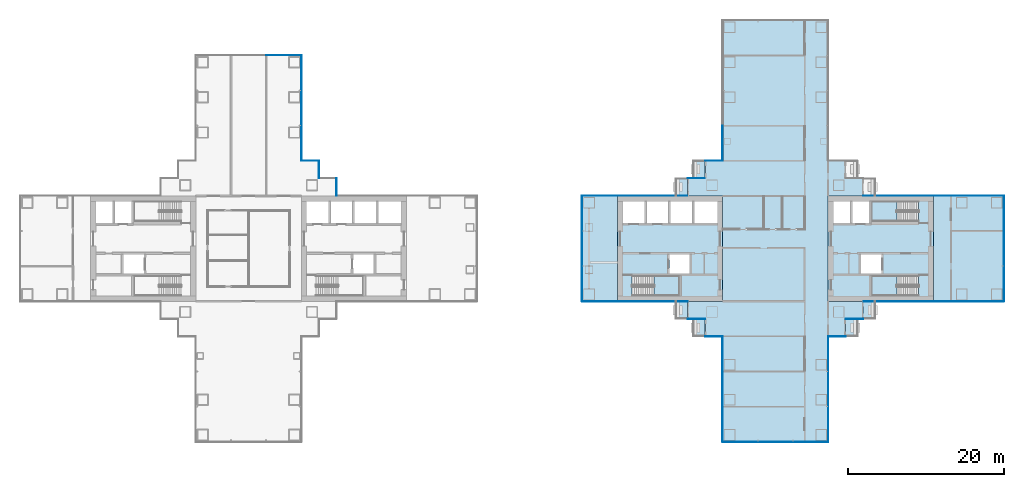
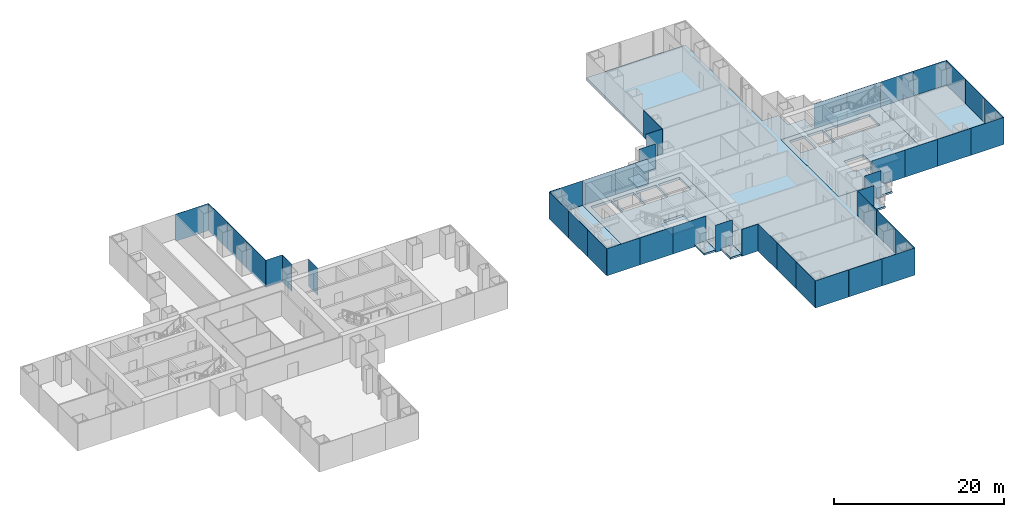
# One storey, part 11 of 21: 43 plates, 14 slabs, 23 elements without a shape of their own.
"""IFC4 building model written with IfcOpenShell, lengths in metres."""

from ifc_helpers import new_model, si_unit, direction, frame, origin, origin_2d, place, context, subcontext, project, spatial, polyline, rectangle, outline, extrude, material, layer, layer_set, type_object, element, aggregate, save


model = new_model("IFC4")

# Units and contexts
model_context = context("Model", 3, precision=1e-05, world=origin(), true_north=direction((0.0, 1.0)))
body_context = subcontext(model_context, "Body", "Model", "MODEL_VIEW")
ifc_project = project(units=[si_unit("LENGTHUNIT", "METRE"), si_unit("AREAUNIT", "SQUARE_METRE"), si_unit("VOLUMEUNIT", "CUBIC_METRE"), si_unit("PLANEANGLEUNIT", "RADIAN"), si_unit("MASSUNIT", "GRAM", prefix="KILO")], contexts=[model_context])

# Site, building, storey
site_placement = place(None, origin())
site = spatial("IfcSite", under=ifc_project, at=site_placement, CompositionType="ELEMENT")
building_placement = place(site_placement, origin())
building = spatial("IfcBuilding", under=site, at=building_placement, Name="Shamsa Quay Exchange Towers", CompositionType="ELEMENT")
storey_placement = place(building_placement, frame((0.0, 0.0, 49.800048828125)))
storey = spatial("IfcBuildingStorey", under=building, at=storey_placement, Name="L10", CompositionType="ELEMENT", Elevation=49.800048828125)

# Slabs
ifc_material_1 = material(Name="Precast concrete C40/50", Category="concrete")
ifc_layer_1 = layer(ifc_material_1, 0.25)
ifc_layer_set_1 = layer_set([ifc_layer_1], Name="BALCONY SLAB 250")
slab_type_1 = type_object("IfcSlabType", Name="BALCONY SLAB 250", PredefinedType="FLOOR", material=ifc_layer_set_1)
slab_1_placement = place(storey_placement, frame((0.0, 0.0, -0.25)))
element("IfcSlab", 1, at=slab_1_placement, inside=storey, type_object=slab_type_1, Name="Balcony T2-PKEN L10", PredefinedType="FLOOR", context=body_context, shape_type="SweptSolid", body=[
    extrude(outline(polyline([(24.75, 11.25), (24.75, 9.0380859375), (23.199951171875, 9.0380859375), (23.199951171875, 11.25), (24.75, 11.25)])), origin(), (0.0, 0.0, 1.0), 0.25),
])
slab_2_placement = place(storey_placement, frame((0.0, 0.0, -0.25)))
element("IfcSlab", 2, at=slab_2_placement, inside=storey, type_object=slab_type_1, Name="Balcony T2-PKEN L10", PredefinedType="FLOOR", context=body_context, shape_type="SweptSolid", body=[
    extrude(outline(polyline([(22.5, 9.0), (22.5, 6.7880859375), (20.949951171875, 6.7880859375), (20.949951171875, 9.0), (22.5, 9.0)])), origin(), (0.0, 0.0, 1.0), 0.25),
])
slab_3_placement = place(storey_placement, frame((0.0, 0.0, -0.25)))
element("IfcSlab", 3, at=slab_3_placement, inside=storey, type_object=slab_type_1, Name="Balcony T2-PKWN L10", PredefinedType="FLOOR", context=body_context, shape_type="SweptSolid", body=[
    extrude(outline(polyline([(22.5, -6.7880859375), (22.5, -9.0), (20.949951171875, -9.0), (20.949951171875, -6.7880859375), (22.5, -6.7880859375)])), origin(), (0.0, 0.0, 1.0), 0.25),
])
slab_4_placement = place(storey_placement, frame((0.0, 0.0, -0.25)))
element("IfcSlab", 4, at=slab_4_placement, inside=storey, type_object=slab_type_1, Name="Balcony T2-PKWN L10", PredefinedType="FLOOR", context=body_context, shape_type="SweptSolid", body=[
    extrude(outline(polyline([(24.75, -9.0380859375), (24.75, -11.25), (23.199951171875, -11.25), (23.199951171875, -9.0380859375), (24.75, -9.0380859375)])), origin(), (0.0, 0.0, 1.0), 0.25),
])
slab_5_placement = place(storey_placement, frame((0.0, 0.0, -0.25)))
element("IfcSlab", 5, at=slab_5_placement, inside=storey, type_object=slab_type_1, Name="Balcony T2-PKWS L10", PredefinedType="FLOOR", context=body_context, shape_type="SweptSolid", body=[
    extrude(outline(polyline([(42.75, -11.25), (42.75, -9.0380859375), (44.300048828125, -9.0380859375), (44.300048828125, -11.25), (42.75, -11.25)])), origin(), (0.0, 0.0, 1.0), 0.25),
])
slab_6_placement = place(storey_placement, frame((0.0, 0.0, -0.25)))
element("IfcSlab", 6, at=slab_6_placement, inside=storey, type_object=slab_type_1, Name="Balcony T2-PKWS L10", PredefinedType="FLOOR", context=body_context, shape_type="SweptSolid", body=[
    extrude(outline(polyline([(45.0, -9.0), (45.0, -6.7880859375), (46.550048828125, -6.7880859375), (46.550048828125, -9.0), (45.0, -9.0)])), origin(), (0.0, 0.0, 1.0), 0.25),
])
ifc_material_2 = material(Name="Concrete C50/60", Category="concrete")
ifc_layer_2 = layer(ifc_material_2, 0.35009765625)
ifc_layer_set_2 = layer_set([ifc_layer_2], Name="CORE FLOOR 350 C50/60")
slab_type_2 = type_object("IfcSlabType", Name="CORE FLOOR 350 C50/60", PredefinedType="FLOOR", material=ifc_layer_set_2)
slab_7_placement = place(storey_placement, frame((0.0, 0.0, -0.35009765625)))
element("IfcSlab", 7, at=slab_7_placement, inside=storey, type_object=slab_type_2, Name="Core floor T2A", PredefinedType="FLOOR", context=body_context, shape_type="SweptSolid", body=[
    extrude(outline(polyline([(13.5, -6.75), (27.0, -6.75), (27.0, 6.75), (13.5, 6.75), (13.5, -6.75)]), holes=[polyline([(15.400634765625, -6.050048828125), (15.400634765625, -3.5), (21.5, -3.5), (21.5, -6.050048828125), (15.400634765625, -6.050048828125)]), polyline([(14.199951171875, 3.25), (14.199951171875, 6.050048828125), (17.0, 6.050048828125), (17.0, 3.25), (14.199951171875, 3.25)]), polyline([(17.25, 3.25), (17.25, 6.050048828125), (20.050048828125, 6.050048828125), (20.050048828125, 3.25), (17.25, 3.25)]), polyline([(20.300048828125, 3.25), (20.300048828125, 6.050048828125), (23.10009765625, 6.050048828125), (23.10009765625, 3.25), (20.300048828125, 3.25)]), polyline([(23.35009765625, 3.25), (23.35009765625, 6.050048828125), (26.300048828125, 6.050048828125), (26.300048828125, 3.25), (23.35009765625, 3.25)]), polyline([(20.14990234375, -3.25), (20.14990234375, -0.75), (22.800048828125, -0.75), (22.800048828125, -3.25), (20.14990234375, -3.25)])]), origin(), (0.0, 0.0, 1.0), 0.35009765625),
])
slab_8_placement = place(storey_placement, frame((0.0, 0.0, -0.35009765625)))
element("IfcSlab", 8, at=slab_8_placement, inside=storey, type_object=slab_type_2, Name="Core floor T2B", PredefinedType="FLOOR", context=body_context, shape_type="SweptSolid", body=[
    extrude(outline(polyline([(54.0, -6.75), (54.0, 6.75), (40.5, 6.75), (40.5, -6.75), (54.0, -6.75)]), holes=[polyline([(52.099365234375, -3.5), (52.099365234375, -6.050048828125), (46.0, -6.050048828125), (46.0, -3.5), (52.099365234375, -3.5)]), polyline([(52.099365234375, 6.050048828125), (52.099365234375, 3.5), (46.0, 3.5), (46.0, 6.050048828125), (52.099365234375, 6.050048828125)]), polyline([(45.75, 3.25), (43.60009765625, 3.25), (43.60009765625, 6.050048828125), (45.75, 6.050048828125), (45.75, 3.25)]), polyline([(43.35009765625, 3.25), (41.199951171875, 3.25), (41.199951171875, 6.050048828125), (43.35009765625, 6.050048828125), (43.35009765625, 3.25)]), polyline([(47.35009765625, -3.25), (44.699951171875, -3.25), (44.699951171875, -0.75), (47.35009765625, -0.75), (47.35009765625, -3.25)])]), origin(), (0.0, 0.0, 1.0), 0.35009765625),
])

# Stair, slab
ifc_material_3 = material(Name="Concrete C40/50", Category="concrete")
stair_type = type_object("IfcStairType", Name="EXIT STAIR 22 RISERS 177 MM", PredefinedType="HALF_TURN_STAIR", material=ifc_material_3)
stair_1_placement = place(storey_placement, origin())
stair_1 = element("IfcStair", 9, at=stair_1_placement, inside=storey, type_object=stair_type, Name="L10 Exit stair ST4", PredefinedType="HALF_TURN_STAIR")
ifc_layer_3 = layer(ifc_material_3, 0.199951171875)
ifc_layer_set_3 = layer_set([ifc_layer_3], Name="CORE STAIR LANDING")
slab_type_3 = type_object("IfcSlabType", Name="CORE STAIR LANDING", PredefinedType="LANDING", material=ifc_layer_set_3)
slab_9_placement = place(storey_placement, frame((0.0, 0.0, 1.75)))
slab_9 = element("IfcSlab", 10, at=slab_9_placement, type_object=slab_type_3, Name="ST4 landing 1", PredefinedType="LANDING", context=body_context, shape_type="SweptSolid", body=[
    extrude(outline(polyline([(18.199951171875, -6.050048828125), (21.5, -6.050048828125), (21.5, -3.5), (18.199951171875, -3.5), (18.199951171875, -6.050048828125)])), origin(), (0.0, 0.0, 1.0), 0.199951171875),
])
aggregate(stair_1, [slab_9])

stair_2_placement = place(storey_placement, origin())
stair_2 = element("IfcStair", 11, at=stair_2_placement, inside=storey, type_object=stair_type, Name="L10 Exit stair ST5", PredefinedType="HALF_TURN_STAIR")
slab_10_placement = place(storey_placement, frame((0.0, 0.0, 1.75)))
slab_10 = element("IfcSlab", 12, at=slab_10_placement, type_object=slab_type_3, Name="ST5 landing 1", PredefinedType="LANDING", context=body_context, shape_type="SweptSolid", body=[
    extrude(outline(polyline([(49.300048828125, -3.5), (46.0, -3.5), (46.0, -6.050048828125), (49.300048828125, -6.050048828125), (49.300048828125, -3.5)])), origin(), (0.0, 0.0, 1.0), 0.199951171875),
])
aggregate(stair_2, [slab_10])

stair_3_placement = place(storey_placement, origin())
stair_3 = element("IfcStair", 13, at=stair_3_placement, inside=storey, type_object=stair_type, Name="L10 Exit stair ST6", PredefinedType="HALF_TURN_STAIR")
slab_11_placement = place(storey_placement, frame((0.0, 0.0, 1.75)))
slab_11 = element("IfcSlab", 14, at=slab_11_placement, type_object=slab_type_3, Name="ST6 landing 1", PredefinedType="LANDING", context=body_context, shape_type="SweptSolid", body=[
    extrude(outline(polyline([(49.300048828125, 6.050048828125), (46.0, 6.050048828125), (46.0, 3.5), (49.300048828125, 3.5), (49.300048828125, 6.050048828125)])), origin(), (0.0, 0.0, 1.0), 0.199951171875),
])
aggregate(stair_3, [slab_11])

# Curtain wall, plates
ifc_material_4 = material(Name="Aluminium EN AW-6063 T6, black anodised", Category="aluminium")
ifc_layer_4 = layer(ifc_material_4, 0.280029296875)
ifc_layer_set_4 = layer_set([ifc_layer_4], Name="CW-1 UNITISED VISION GLASS")
curtain_wall_type_1 = type_object("IfcCurtainWallType", Name="CW-1 UNITISED VISION GLASS", PredefinedType="NOTDEFINED", material=ifc_layer_set_4)
curtain_wall_1_placement = place(storey_placement, origin())
curtain_wall_1 = element("IfcCurtainWall", 15, at=curtain_wall_1_placement, inside=storey, type_object=curtain_wall_type_1, Name="CW1 T1-FLK-V+E L10", PredefinedType="NOTDEFINED")
ifc_material_5 = material(Name="Glass, laminated, dark tinted", Category="glass")
ifc_layer_5 = layer(ifc_material_5, 0.0400390625)
ifc_layer_set_5 = layer_set([ifc_layer_5], Name="CW-1 VISION GLASS 40")
plate_type_1 = type_object("IfcPlateType", Name="CW-1 VISION GLASS 40", PredefinedType="CURTAIN_PANEL", material=ifc_layer_set_5)
plate_1_placement = place(storey_placement, frame((-26.97998046875, 13.529052734375, -0.35009765625), z_axis=(0.0, 0.0, 1.0), x_axis=(0.0, 1.0, 0.0)))
plate_1 = element("IfcPlate", 16, at=plate_1_placement, type_object=plate_type_1, Name="CW1 glass panel", PredefinedType="CURTAIN_PANEL", context=body_context, shape_type="SweptSolid", body=[
    extrude(rectangle(XDim=4.482421875, YDim=0.0400390625, at=origin_2d()), origin(), (0.0, 0.0, 1.0), 3.89990234375),
])
plate_2_placement = place(storey_placement, frame((-26.97998046875, 18.01904296875, -0.35009765625), z_axis=(0.0, 0.0, 1.0), x_axis=(0.0, 1.0, 0.0)))
plate_2 = element("IfcPlate", 17, at=plate_2_placement, type_object=plate_type_1, Name="CW1 glass panel", PredefinedType="CURTAIN_PANEL", context=body_context, shape_type="SweptSolid", body=[
    extrude(rectangle(XDim=4.477294921875, YDim=0.0400390625, at=origin_2d()), origin(), (0.0, 0.0, 1.0), 3.89990234375),
])
plate_3_placement = place(storey_placement, frame((-26.97998046875, 22.5087890625, -0.35009765625), z_axis=(0.0, 0.0, 1.0), x_axis=(0.0, 1.0, 0.0)))
plate_3 = element("IfcPlate", 18, at=plate_3_placement, type_object=plate_type_1, Name="CW1 glass panel", PredefinedType="CURTAIN_PANEL", context=body_context, shape_type="SweptSolid", body=[
    extrude(rectangle(XDim=4.482421875, YDim=0.0400390625, at=origin_2d()), origin(), (0.0, 0.0, 1.0), 3.89990234375),
])
aggregate(curtain_wall_1, [plate_1, plate_2, plate_3])

# Curtain wall, plate
curtain_wall_2_placement = place(storey_placement, origin())
curtain_wall_2 = element("IfcCurtainWall", 19, at=curtain_wall_2_placement, inside=storey, type_object=curtain_wall_type_1, Name="CW1 T1-END-V+ L10", PredefinedType="NOTDEFINED")
plate_4_placement = place(storey_placement, frame((-29.24755859375, 24.77001953125, -0.35009765625), z_axis=(0.0, 0.0, 1.0), x_axis=(-1.0, 0.0, 0.0)))
plate_4 = element("IfcPlate", 20, at=plate_4_placement, type_object=plate_type_1, Name="CW1 glass panel", PredefinedType="CURTAIN_PANEL", context=body_context, shape_type="SweptSolid", body=[
    extrude(rectangle(XDim=4.4951171875, YDim=0.0400390625, at=origin_2d()), origin(), (0.0, 0.0, 1.0), 3.89990234375),
])
aggregate(curtain_wall_2, [plate_4])

# Curtain wall, plates
curtain_wall_3_placement = place(storey_placement, origin())
curtain_wall_3 = element("IfcCurtainWall", 21, at=curtain_wall_3_placement, inside=storey, type_object=curtain_wall_type_1, Name="CW1 T2-FLK-V-W L10", PredefinedType="NOTDEFINED")
plate_5_placement = place(storey_placement, frame((56.24755859375, -6.77001953125, -0.35009765625)))
plate_5 = element("IfcPlate", 22, at=plate_5_placement, type_object=plate_type_1, Name="CW1 glass panel", PredefinedType="CURTAIN_PANEL", context=body_context, shape_type="SweptSolid", body=[
    extrude(rectangle(XDim=4.4951171875, YDim=0.0400390625, at=origin_2d()), origin(), (0.0, 0.0, 1.0), 3.89990234375),
])
plate_6_placement = place(storey_placement, frame((60.75244140625, -6.77001953125, -0.35009765625)))
plate_6 = element("IfcPlate", 23, at=plate_6_placement, type_object=plate_type_1, Name="CW1 glass panel", PredefinedType="CURTAIN_PANEL", context=body_context, shape_type="SweptSolid", body=[
    extrude(rectangle(XDim=4.4951171875, YDim=0.0400390625, at=origin_2d()), origin(), (0.0, 0.0, 1.0), 3.89990234375),
])
aggregate(curtain_wall_3, [plate_5, plate_6])

curtain_wall_4_placement = place(storey_placement, origin())
curtain_wall_4 = element("IfcCurtainWall", 24, at=curtain_wall_4_placement, inside=storey, type_object=curtain_wall_type_1, Name="CW1 T2-END-V- L10", PredefinedType="NOTDEFINED")
plate_7_placement = place(storey_placement, frame((63.02001953125, -4.50244140625, -0.35009765625), z_axis=(0.0, 0.0, 1.0), x_axis=(0.0, 1.0, 0.0)))
plate_7 = element("IfcPlate", 25, at=plate_7_placement, type_object=plate_type_1, Name="CW1 glass panel", PredefinedType="CURTAIN_PANEL", context=body_context, shape_type="SweptSolid", body=[
    extrude(rectangle(XDim=4.4951171875, YDim=0.0400390625, at=origin_2d()), origin(), (0.0, 0.0, 1.0), 3.89990234375),
])
plate_8_placement = place(storey_placement, frame((63.02001953125, 0.0, -0.35009765625), z_axis=(0.0, 0.0, 1.0), x_axis=(0.0, 1.0, 0.0)))
plate_8 = element("IfcPlate", 26, at=plate_8_placement, type_object=plate_type_1, Name="CW1 glass panel", PredefinedType="CURTAIN_PANEL", context=body_context, shape_type="SweptSolid", body=[
    extrude(rectangle(XDim=4.489990234375, YDim=0.0400390625, at=origin_2d()), origin(), (0.0, 0.0, 1.0), 3.89990234375),
])
plate_9_placement = place(storey_placement, frame((63.02001953125, 4.50244140625, -0.35009765625), z_axis=(0.0, 0.0, 1.0), x_axis=(0.0, 1.0, 0.0)))
plate_9 = element("IfcPlate", 27, at=plate_9_placement, type_object=plate_type_1, Name="CW1 glass panel", PredefinedType="CURTAIN_PANEL", context=body_context, shape_type="SweptSolid", body=[
    extrude(rectangle(XDim=4.4951171875, YDim=0.0400390625, at=origin_2d()), origin(), (0.0, 0.0, 1.0), 3.89990234375),
])
aggregate(curtain_wall_4, [plate_7, plate_8, plate_9])

curtain_wall_5_placement = place(storey_placement, origin())
curtain_wall_5 = element("IfcCurtainWall", 28, at=curtain_wall_5_placement, inside=storey, type_object=curtain_wall_type_1, Name="CW1 T2-FLK-V-E L10", PredefinedType="NOTDEFINED")
plate_10_placement = place(storey_placement, frame((60.75244140625, 6.77001953125, -0.35009765625), z_axis=(0.0, 0.0, 1.0), x_axis=(-1.0, 0.0, 0.0)))
plate_10 = element("IfcPlate", 29, at=plate_10_placement, type_object=plate_type_1, Name="CW1 glass panel", PredefinedType="CURTAIN_PANEL", context=body_context, shape_type="SweptSolid", body=[
    extrude(rectangle(XDim=4.4951171875, YDim=0.0400390625, at=origin_2d()), origin(), (0.0, 0.0, 1.0), 3.89990234375),
])
plate_11_placement = place(storey_placement, frame((56.24755859375, 6.77001953125, -0.35009765625), z_axis=(0.0, 0.0, 1.0), x_axis=(-1.0, 0.0, 0.0)))
plate_11 = element("IfcPlate", 30, at=plate_11_placement, type_object=plate_type_1, Name="CW1 glass panel", PredefinedType="CURTAIN_PANEL", context=body_context, shape_type="SweptSolid", body=[
    extrude(rectangle(XDim=4.4951171875, YDim=0.0400390625, at=origin_2d()), origin(), (0.0, 0.0, 1.0), 3.89990234375),
])
aggregate(curtain_wall_5, [plate_10, plate_11])

# Curtain wall, plate
curtain_wall_6_placement = place(storey_placement, origin())
curtain_wall_6 = element("IfcCurtainWall", 31, at=curtain_wall_6_placement, inside=storey, type_object=curtain_wall_type_1, Name="CW1 T2-FLK-U+N L10", PredefinedType="NOTDEFINED")
plate_12_placement = place(storey_placement, frame((26.97998046875, 13.49755859375, -0.35009765625), z_axis=(0.0, 0.0, 1.0), x_axis=(0.0, -1.0, 0.0)))
plate_12 = element("IfcPlate", 32, at=plate_12_placement, type_object=plate_type_1, Name="CW1 glass panel", PredefinedType="CURTAIN_PANEL", context=body_context, shape_type="SweptSolid", body=[
    extrude(rectangle(XDim=4.4951171875, YDim=0.0400390625, at=origin_2d()), origin(), (0.0, 0.0, 1.0), 3.89990234375),
])
aggregate(curtain_wall_6, [plate_12])

curtain_wall_7_placement = place(storey_placement, origin())
curtain_wall_7 = element("IfcCurtainWall", 33, at=curtain_wall_7_placement, inside=storey, type_object=curtain_wall_type_1, Name="CW1 T2-FLK-V+E L10", PredefinedType="NOTDEFINED")
plate_13_placement = place(storey_placement, frame((11.25, 6.77001953125, -0.35009765625), z_axis=(0.0, 0.0, 1.0), x_axis=(-1.0, 0.0, 0.0)))
plate_13 = element("IfcPlate", 34, at=plate_13_placement, type_object=plate_type_1, Name="CW1 glass panel", PredefinedType="CURTAIN_PANEL", context=body_context, shape_type="SweptSolid", body=[
    extrude(rectangle(XDim=4.5, YDim=0.0400390625, at=origin_2d()), origin(), (0.0, 0.0, 1.0), 3.89990234375),
])
aggregate(curtain_wall_7, [plate_13])

# Curtain wall, plates
curtain_wall_8_placement = place(storey_placement, origin())
curtain_wall_8 = element("IfcCurtainWall", 35, at=curtain_wall_8_placement, inside=storey, type_object=curtain_wall_type_1, Name="CW1 T2-END-V+ L10", PredefinedType="NOTDEFINED")
plate_14_placement = place(storey_placement, frame((8.97998046875, 4.50244140625, -0.35009765625), z_axis=(0.0, 0.0, 1.0), x_axis=(0.0, -1.0, 0.0)))
plate_14 = element("IfcPlate", 36, at=plate_14_placement, type_object=plate_type_1, Name="CW1 glass panel", PredefinedType="CURTAIN_PANEL", context=body_context, shape_type="SweptSolid", body=[
    extrude(rectangle(XDim=4.4951171875, YDim=0.0400390625, at=origin_2d()), origin(), (0.0, 0.0, 1.0), 3.89990234375),
])
plate_15_placement = place(storey_placement, frame((8.97998046875, 0.0, -0.35009765625), z_axis=(0.0, 0.0, 1.0), x_axis=(0.0, -1.0, 0.0)))
plate_15 = element("IfcPlate", 37, at=plate_15_placement, type_object=plate_type_1, Name="CW1 glass panel", PredefinedType="CURTAIN_PANEL", context=body_context, shape_type="SweptSolid", body=[
    extrude(rectangle(XDim=4.489990234375, YDim=0.0400390625, at=origin_2d()), origin(), (0.0, 0.0, 1.0), 3.89990234375),
])
plate_16_placement = place(storey_placement, frame((8.97998046875, -4.50244140625, -0.35009765625), z_axis=(0.0, 0.0, 1.0), x_axis=(0.0, -1.0, 0.0)))
plate_16 = element("IfcPlate", 38, at=plate_16_placement, type_object=plate_type_1, Name="CW1 glass panel", PredefinedType="CURTAIN_PANEL", context=body_context, shape_type="SweptSolid", body=[
    extrude(rectangle(XDim=4.4951171875, YDim=0.0400390625, at=origin_2d()), origin(), (0.0, 0.0, 1.0), 3.89990234375),
])
aggregate(curtain_wall_8, [plate_14, plate_15, plate_16])

# Curtain wall, plate
curtain_wall_9_placement = place(storey_placement, origin())
curtain_wall_9 = element("IfcCurtainWall", 39, at=curtain_wall_9_placement, inside=storey, type_object=curtain_wall_type_1, Name="CW1 T2-FLK-V+W L10", PredefinedType="NOTDEFINED")
plate_17_placement = place(storey_placement, frame((11.25, -6.77001953125, -0.35009765625)))
plate_17 = element("IfcPlate", 40, at=plate_17_placement, type_object=plate_type_1, Name="CW1 glass panel", PredefinedType="CURTAIN_PANEL", context=body_context, shape_type="SweptSolid", body=[
    extrude(rectangle(XDim=4.5, YDim=0.0400390625, at=origin_2d()), origin(), (0.0, 0.0, 1.0), 3.89990234375),
])
aggregate(curtain_wall_9, [plate_17])

# Curtain wall, plates
curtain_wall_10_placement = place(storey_placement, origin())
curtain_wall_10 = element("IfcCurtainWall", 41, at=curtain_wall_10_placement, inside=storey, type_object=curtain_wall_type_1, Name="CW1 T2-FLK-U-N L10", PredefinedType="NOTDEFINED")
plate_18_placement = place(storey_placement, frame((26.97998046875, -13.529052734375, -0.35009765625), z_axis=(0.0, 0.0, 1.0), x_axis=(0.0, -1.0, 0.0)))
plate_18 = element("IfcPlate", 42, at=plate_18_placement, type_object=plate_type_1, Name="CW1 glass panel", PredefinedType="CURTAIN_PANEL", context=body_context, shape_type="SweptSolid", body=[
    extrude(rectangle(XDim=4.482421875, YDim=0.0400390625, at=origin_2d()), origin(), (0.0, 0.0, 1.0), 3.89990234375),
])
plate_19_placement = place(storey_placement, frame((26.97998046875, -18.01904296875, -0.35009765625), z_axis=(0.0, 0.0, 1.0), x_axis=(0.0, -1.0, 0.0)))
plate_19 = element("IfcPlate", 43, at=plate_19_placement, type_object=plate_type_1, Name="CW1 glass panel", PredefinedType="CURTAIN_PANEL", context=body_context, shape_type="SweptSolid", body=[
    extrude(rectangle(XDim=4.477294921875, YDim=0.0400390625, at=origin_2d()), origin(), (0.0, 0.0, 1.0), 3.89990234375),
])
plate_20_placement = place(storey_placement, frame((26.97998046875, -22.5087890625, -0.35009765625), z_axis=(0.0, 0.0, 1.0), x_axis=(0.0, -1.0, 0.0)))
plate_20 = element("IfcPlate", 44, at=plate_20_placement, type_object=plate_type_1, Name="CW1 glass panel", PredefinedType="CURTAIN_PANEL", context=body_context, shape_type="SweptSolid", body=[
    extrude(rectangle(XDim=4.482421875, YDim=0.0400390625, at=origin_2d()), origin(), (0.0, 0.0, 1.0), 3.89990234375),
])
aggregate(curtain_wall_10, [plate_18, plate_19, plate_20])

curtain_wall_11_placement = place(storey_placement, origin())
curtain_wall_11 = element("IfcCurtainWall", 45, at=curtain_wall_11_placement, inside=storey, type_object=curtain_wall_type_1, Name="CW1 T2-END-U- L10", PredefinedType="NOTDEFINED")
plate_21_placement = place(storey_placement, frame((29.24755859375, -24.77001953125, -0.35009765625)))
plate_21 = element("IfcPlate", 46, at=plate_21_placement, type_object=plate_type_1, Name="CW1 glass panel", PredefinedType="CURTAIN_PANEL", context=body_context, shape_type="SweptSolid", body=[
    extrude(rectangle(XDim=4.4951171875, YDim=0.0400390625, at=origin_2d()), origin(), (0.0, 0.0, 1.0), 3.89990234375),
])
plate_22_placement = place(storey_placement, frame((33.75, -24.77001953125, -0.35009765625)))
plate_22 = element("IfcPlate", 47, at=plate_22_placement, type_object=plate_type_1, Name="CW1 glass panel", PredefinedType="CURTAIN_PANEL", context=body_context, shape_type="SweptSolid", body=[
    extrude(rectangle(XDim=4.489990234375, YDim=0.0400390625, at=origin_2d()), origin(), (0.0, 0.0, 1.0), 3.89990234375),
])
plate_23_placement = place(storey_placement, frame((38.25244140625, -24.77001953125, -0.35009765625)))
plate_23 = element("IfcPlate", 48, at=plate_23_placement, type_object=plate_type_1, Name="CW1 glass panel", PredefinedType="CURTAIN_PANEL", context=body_context, shape_type="SweptSolid", body=[
    extrude(rectangle(XDim=4.4951171875, YDim=0.0400390625, at=origin_2d()), origin(), (0.0, 0.0, 1.0), 3.89990234375),
])
aggregate(curtain_wall_11, [plate_21, plate_22, plate_23])

curtain_wall_12_placement = place(storey_placement, origin())
curtain_wall_12 = element("IfcCurtainWall", 49, at=curtain_wall_12_placement, inside=storey, type_object=curtain_wall_type_1, Name="CW1 T2-FLK-U-S L10", PredefinedType="NOTDEFINED")
plate_24_placement = place(storey_placement, frame((40.52001953125, -22.50244140625, -0.35009765625), z_axis=(0.0, 0.0, 1.0), x_axis=(0.0, 1.0, 0.0)))
plate_24 = element("IfcPlate", 50, at=plate_24_placement, type_object=plate_type_1, Name="CW1 glass panel", PredefinedType="CURTAIN_PANEL", context=body_context, shape_type="SweptSolid", body=[
    extrude(rectangle(XDim=4.4951171875, YDim=0.0400390625, at=origin_2d()), origin(), (0.0, 0.0, 1.0), 3.89990234375),
])
plate_25_placement = place(storey_placement, frame((40.52001953125, -18.0, -0.35009765625), z_axis=(0.0, 0.0, 1.0), x_axis=(0.0, 1.0, 0.0)))
plate_25 = element("IfcPlate", 51, at=plate_25_placement, type_object=plate_type_1, Name="CW1 glass panel", PredefinedType="CURTAIN_PANEL", context=body_context, shape_type="SweptSolid", body=[
    extrude(rectangle(XDim=4.489990234375, YDim=0.0400390625, at=origin_2d()), origin(), (0.0, 0.0, 1.0), 3.89990234375),
])
plate_26_placement = place(storey_placement, frame((40.52001953125, -13.49755859375, -0.35009765625), z_axis=(0.0, 0.0, 1.0), x_axis=(0.0, 1.0, 0.0)))
plate_26 = element("IfcPlate", 52, at=plate_26_placement, type_object=plate_type_1, Name="CW1 glass panel", PredefinedType="CURTAIN_PANEL", context=body_context, shape_type="SweptSolid", body=[
    extrude(rectangle(XDim=4.4951171875, YDim=0.0400390625, at=origin_2d()), origin(), (0.0, 0.0, 1.0), 3.89990234375),
])
aggregate(curtain_wall_12, [plate_24, plate_25, plate_26])

ifc_layer_6 = layer(ifc_material_4, 0.303955078125)
ifc_layer_set_6 = layer_set([ifc_layer_6], Name="CW-2 UNITISED OPAQUE SPANDREL GLASS")
curtain_wall_type_2 = type_object("IfcCurtainWallType", Name="CW-2 UNITISED OPAQUE SPANDREL GLASS", PredefinedType="NOTDEFINED", material=ifc_layer_set_6)
curtain_wall_13_placement = place(storey_placement, origin())
curtain_wall_13 = element("IfcCurtainWall", 53, at=curtain_wall_13_placement, inside=storey, type_object=curtain_wall_type_2, Name="CW2 T2-FLK-V-W L10", PredefinedType="NOTDEFINED")
ifc_material_6 = material(Name="Glass, laminated, black enamelled opaque", Category="glass")
ifc_layer_7 = layer(ifc_material_6, 0.0439453125)
ifc_layer_set_7 = layer_set([ifc_layer_7], Name="CW-2 SPANDREL GLASS 44")
plate_type_2 = type_object("IfcPlateType", Name="CW-2 SPANDREL GLASS 44", PredefinedType="CURTAIN_PANEL", material=ifc_layer_set_7)
plate_27_placement = place(storey_placement, frame((47.27587890625, -6.77197265625, -0.35009765625)))
plate_27 = element("IfcPlate", 54, at=plate_27_placement, type_object=plate_type_2, Name="CW2 glass panel", PredefinedType="CURTAIN_PANEL", context=body_context, shape_type="SweptSolid", body=[
    extrude(rectangle(XDim=4.47607421875, YDim=0.0439453125, at=origin_2d()), origin(), (0.0, 0.0, 1.0), 3.89990234375),
])
plate_28_placement = place(storey_placement, frame((51.761962890625, -6.77197265625, -0.35009765625)))
plate_28 = element("IfcPlate", 55, at=plate_28_placement, type_object=plate_type_2, Name="CW2 glass panel", PredefinedType="CURTAIN_PANEL", context=body_context, shape_type="SweptSolid", body=[
    extrude(rectangle(XDim=4.47607421875, YDim=0.0439453125, at=origin_2d()), origin(), (0.0, 0.0, 1.0), 3.89990234375),
])
aggregate(curtain_wall_13, [plate_27, plate_28])

curtain_wall_14_placement = place(storey_placement, origin())
curtain_wall_14 = element("IfcCurtainWall", 56, at=curtain_wall_14_placement, inside=storey, type_object=curtain_wall_type_2, Name="CW2 T2-FLK-V-E L10", PredefinedType="NOTDEFINED")
plate_29_placement = place(storey_placement, frame((51.75244140625, 6.77197265625, -0.35009765625), z_axis=(0.0, 0.0, 1.0), x_axis=(-1.0, 0.0, 0.0)))
plate_29 = element("IfcPlate", 57, at=plate_29_placement, type_object=plate_type_2, Name="CW2 glass panel", PredefinedType="CURTAIN_PANEL", context=body_context, shape_type="SweptSolid", body=[
    extrude(rectangle(XDim=4.4951171875, YDim=0.0439453125, at=origin_2d()), origin(), (0.0, 0.0, 1.0), 3.89990234375),
])
plate_30_placement = place(storey_placement, frame((47.24755859375, 6.77197265625, -0.35009765625), z_axis=(0.0, 0.0, 1.0), x_axis=(-1.0, 0.0, 0.0)))
plate_30 = element("IfcPlate", 58, at=plate_30_placement, type_object=plate_type_2, Name="CW2 glass panel", PredefinedType="CURTAIN_PANEL", context=body_context, shape_type="SweptSolid", body=[
    extrude(rectangle(XDim=4.4951171875, YDim=0.0439453125, at=origin_2d()), origin(), (0.0, 0.0, 1.0), 3.89990234375),
])
aggregate(curtain_wall_14, [plate_29, plate_30])

curtain_wall_15_placement = place(storey_placement, origin())
curtain_wall_15 = element("IfcCurtainWall", 59, at=curtain_wall_15_placement, inside=storey, type_object=curtain_wall_type_2, Name="CW2 T2-FLK-V+E L10", PredefinedType="NOTDEFINED")
plate_31_placement = place(storey_placement, frame((20.22412109375, 6.77197265625, -0.35009765625), z_axis=(0.0, 0.0, 1.0), x_axis=(-1.0, 0.0, 0.0)))
plate_31 = element("IfcPlate", 60, at=plate_31_placement, type_object=plate_type_2, Name="CW2 glass panel", PredefinedType="CURTAIN_PANEL", context=body_context, shape_type="SweptSolid", body=[
    extrude(rectangle(XDim=4.47607421875, YDim=0.0439453125, at=origin_2d()), origin(), (0.0, 0.0, 1.0), 3.89990234375),
])
plate_32_placement = place(storey_placement, frame((15.738037109375, 6.77197265625, -0.35009765625), z_axis=(0.0, 0.0, 1.0), x_axis=(-1.0, 0.0, 0.0)))
plate_32 = element("IfcPlate", 61, at=plate_32_placement, type_object=plate_type_2, Name="CW2 glass panel", PredefinedType="CURTAIN_PANEL", context=body_context, shape_type="SweptSolid", body=[
    extrude(rectangle(XDim=4.47607421875, YDim=0.0439453125, at=origin_2d()), origin(), (0.0, 0.0, 1.0), 3.89990234375),
])
aggregate(curtain_wall_15, [plate_31, plate_32])

curtain_wall_16_placement = place(storey_placement, origin())
curtain_wall_16 = element("IfcCurtainWall", 62, at=curtain_wall_16_placement, inside=storey, type_object=curtain_wall_type_2, Name="CW2 T2-FLK-V+W L10", PredefinedType="NOTDEFINED")
plate_33_placement = place(storey_placement, frame((15.74755859375, -6.77197265625, -0.35009765625)))
plate_33 = element("IfcPlate", 63, at=plate_33_placement, type_object=plate_type_2, Name="CW2 glass panel", PredefinedType="CURTAIN_PANEL", context=body_context, shape_type="SweptSolid", body=[
    extrude(rectangle(XDim=4.4951171875, YDim=0.0439453125, at=origin_2d()), origin(), (0.0, 0.0, 1.0), 3.89990234375),
])
plate_34_placement = place(storey_placement, frame((20.25244140625, -6.77197265625, -0.35009765625)))
plate_34 = element("IfcPlate", 64, at=plate_34_placement, type_object=plate_type_2, Name="CW2 glass panel", PredefinedType="CURTAIN_PANEL", context=body_context, shape_type="SweptSolid", body=[
    extrude(rectangle(XDim=4.4951171875, YDim=0.0439453125, at=origin_2d()), origin(), (0.0, 0.0, 1.0), 3.89990234375),
])
aggregate(curtain_wall_16, [plate_33, plate_34])

ifc_layer_8 = layer(ifc_material_4, 0.256103515625)
ifc_layer_set_8 = layer_set([ifc_layer_8], Name="CW-4 POCKET SERRATED GLAZING")
curtain_wall_type_3 = type_object("IfcCurtainWallType", Name="CW-4 POCKET SERRATED GLAZING", PredefinedType="NOTDEFINED", material=ifc_layer_set_8)
curtain_wall_17_placement = place(storey_placement, origin())
curtain_wall_17 = element("IfcCurtainWall", 65, at=curtain_wall_17_placement, inside=storey, type_object=curtain_wall_type_3, Name="CW4 PKEN L10", PredefinedType="NOTDEFINED")
ifc_layer_9 = layer(ifc_material_5, 0.035888671875)
ifc_layer_set_9 = layer_set([ifc_layer_9], Name="CW-4 POCKET GLASS 36")
plate_type_3 = type_object("IfcPlateType", Name="CW-4 POCKET GLASS 36", PredefinedType="CURTAIN_PANEL", material=ifc_layer_set_9)
plate_35_placement = place(storey_placement, frame((-22.48193359375, 7.89794921875, -0.35009765625), z_axis=(0.0, 0.0, 1.0), x_axis=(0.0, 1.0, 0.0)))
plate_35 = element("IfcPlate", 66, at=plate_35_placement, type_object=plate_type_3, Name="CW4 glass panel", PredefinedType="CURTAIN_PANEL", context=body_context, shape_type="SweptSolid", body=[
    extrude(rectangle(XDim=2.2041015625, YDim=0.035888671875, at=origin_2d()), origin(), (0.0, 0.0, 1.0), 3.89990234375),
])
plate_36_placement = place(storey_placement, frame((-24.73193359375, 10.14404296875, -0.35009765625), z_axis=(0.0, 0.0, 1.0), x_axis=(0.0, 1.0, 0.0)))
plate_36 = element("IfcPlate", 67, at=plate_36_placement, type_object=plate_type_3, Name="CW4 glass panel", PredefinedType="CURTAIN_PANEL", context=body_context, shape_type="SweptSolid", body=[
    extrude(rectangle(XDim=2.2119140625, YDim=0.035888671875, at=origin_2d()), origin(), (0.0, 0.0, 1.0), 3.89990234375),
])
plate_37_placement = place(storey_placement, frame((-25.875, 11.26806640625, -0.35009765625), z_axis=(0.0, 0.0, 1.0), x_axis=(-1.0, 0.0, 0.0)))
plate_37 = element("IfcPlate", 68, at=plate_37_placement, type_object=plate_type_3, Name="CW4 glass panel", PredefinedType="CURTAIN_PANEL", context=body_context, shape_type="SweptSolid", body=[
    extrude(rectangle(XDim=2.25, YDim=0.035888671875, at=origin_2d()), origin(), (0.0, 0.0, 1.0), 3.89990234375),
])
aggregate(curtain_wall_17, [plate_35, plate_36, plate_37])

curtain_wall_18_placement = place(storey_placement, origin())
curtain_wall_18 = element("IfcCurtainWall", 69, at=curtain_wall_18_placement, inside=storey, type_object=curtain_wall_type_3, Name="CW4 PKWS L10", PredefinedType="NOTDEFINED")
plate_38_placement = place(storey_placement, frame((43.89404296875, -9.01806640625, -0.35009765625)))
plate_38 = element("IfcPlate", 70, at=plate_38_placement, type_object=plate_type_3, Name="CW4 glass panel", PredefinedType="CURTAIN_PANEL", context=body_context, shape_type="SweptSolid", body=[
    extrude(rectangle(XDim=2.2119140625, YDim=0.035888671875, at=origin_2d()), origin(), (0.0, 0.0, 1.0), 3.89990234375),
])
plate_39_placement = place(storey_placement, frame((41.64599609375, -11.26806640625, -0.35009765625)))
plate_39 = element("IfcPlate", 71, at=plate_39_placement, type_object=plate_type_3, Name="CW4 glass panel", PredefinedType="CURTAIN_PANEL", context=body_context, shape_type="SweptSolid", body=[
    extrude(rectangle(XDim=2.2080078125, YDim=0.035888671875, at=origin_2d()), origin(), (0.0, 0.0, 1.0), 3.89990234375),
])
aggregate(curtain_wall_18, [plate_38, plate_39])

curtain_wall_19_placement = place(storey_placement, origin())
curtain_wall_19 = element("IfcCurtainWall", 72, at=curtain_wall_19_placement, inside=storey, type_object=curtain_wall_type_3, Name="CW4 PKEN L10", PredefinedType="NOTDEFINED")
plate_40_placement = place(storey_placement, frame((25.85400390625, 11.26806640625, -0.35009765625), z_axis=(0.0, 0.0, 1.0), x_axis=(-1.0, 0.0, 0.0)))
plate_40 = element("IfcPlate", 73, at=plate_40_placement, type_object=plate_type_3, Name="CW4 glass panel", PredefinedType="CURTAIN_PANEL", context=body_context, shape_type="SweptSolid", body=[
    extrude(rectangle(XDim=2.2080078125, YDim=0.035888671875, at=origin_2d()), origin(), (0.0, 0.0, 1.0), 3.89990234375),
])
plate_41_placement = place(storey_placement, frame((23.60595703125, 9.01806640625, -0.35009765625), z_axis=(0.0, 0.0, 1.0), x_axis=(-1.0, 0.0, 0.0)))
plate_41 = element("IfcPlate", 74, at=plate_41_placement, type_object=plate_type_3, Name="CW4 glass panel", PredefinedType="CURTAIN_PANEL", context=body_context, shape_type="SweptSolid", body=[
    extrude(rectangle(XDim=2.2119140625, YDim=0.035888671875, at=origin_2d()), origin(), (0.0, 0.0, 1.0), 3.89990234375),
])
aggregate(curtain_wall_19, [plate_40, plate_41])

curtain_wall_20_placement = place(storey_placement, origin())
curtain_wall_20 = element("IfcCurtainWall", 75, at=curtain_wall_20_placement, inside=storey, type_object=curtain_wall_type_3, Name="CW4 PKWN L10", PredefinedType="NOTDEFINED")
plate_42_placement = place(storey_placement, frame((23.625, -9.01806640625, -0.35009765625)))
plate_42 = element("IfcPlate", 76, at=plate_42_placement, type_object=plate_type_3, Name="CW4 glass panel", PredefinedType="CURTAIN_PANEL", context=body_context, shape_type="SweptSolid", body=[
    extrude(rectangle(XDim=2.25, YDim=0.035888671875, at=origin_2d()), origin(), (0.0, 0.0, 1.0), 3.89990234375),
])
plate_43_placement = place(storey_placement, frame((25.875, -11.26806640625, -0.35009765625)))
plate_43 = element("IfcPlate", 77, at=plate_43_placement, type_object=plate_type_3, Name="CW4 glass panel", PredefinedType="CURTAIN_PANEL", context=body_context, shape_type="SweptSolid", body=[
    extrude(rectangle(XDim=2.25, YDim=0.035888671875, at=origin_2d()), origin(), (0.0, 0.0, 1.0), 3.89990234375),
])
aggregate(curtain_wall_20, [plate_42, plate_43])

# Slabs
ifc_layer_10 = layer(ifc_material_3, 0.35009765625)
ifc_layer_set_10 = layer_set([ifc_layer_10], Name="Flat slab 350")
slab_type_4 = type_object("IfcSlabType", Name="Flat slab 350", PredefinedType="FLOOR", material=ifc_layer_set_10)
slab_12_placement = place(storey_placement, frame((0.0, 0.0, -0.35009765625)))
element("IfcSlab", 78, at=slab_12_placement, inside=storey, type_object=slab_type_4, Name="Flat slab T2 L10 4", PredefinedType="FLOOR", context=body_context, shape_type="SweptSolid", body=[
    extrude(outline(polyline([(9.0, -6.75), (13.5, -6.75), (13.5, 6.75), (9.0, 6.75), (9.0, -6.75)])), origin(), (0.0, 0.0, 1.0), 0.35009765625),
])
slab_13_placement = place(storey_placement, frame((0.0, 0.0, -0.35009765625)))
element("IfcSlab", 79, at=slab_13_placement, inside=storey, type_object=slab_type_4, Name="Flat slab T2 L10 5", PredefinedType="FLOOR", context=body_context, shape_type="SweptSolid", body=[
    extrude(outline(polyline([(45.0, -9.0), (45.0, -6.75), (40.5, -6.75), (40.5, 6.75), (45.0, 6.75), (45.0, 9.0), (42.75, 9.0), (42.75, 11.25), (40.5, 11.25), (40.5, 29.25), (27.0, 29.25), (27.0, 11.25), (24.75, 11.25), (24.75, 9.0), (22.5, 9.0), (22.5, 6.75), (27.0, 6.75), (27.0, -6.75), (22.5, -6.75), (22.5, -9.0), (24.75, -9.0), (24.75, -11.25), (27.0, -11.25), (27.0, -24.75), (40.5, -24.75), (40.5, -11.25), (42.75, -11.25), (42.75, -9.0), (45.0, -9.0)])), origin(), (0.0, 0.0, 1.0), 0.35009765625),
])
slab_14_placement = place(storey_placement, frame((0.0, 0.0, -0.35009765625)))
element("IfcSlab", 80, at=slab_14_placement, inside=storey, type_object=slab_type_4, Name="Flat slab T2 L10 6", PredefinedType="FLOOR", context=body_context, shape_type="SweptSolid", body=[
    extrude(outline(polyline([(63.0, 6.75), (54.0, 6.75), (54.0, -6.75), (63.0, -6.75), (63.0, 6.75)])), origin(), (0.0, 0.0, 1.0), 0.35009765625),
])

save(model, "model.ifc")
